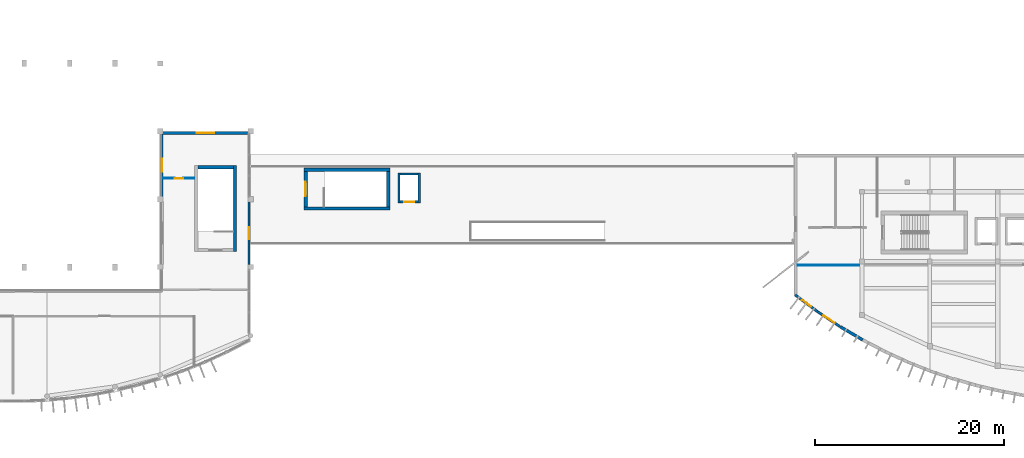
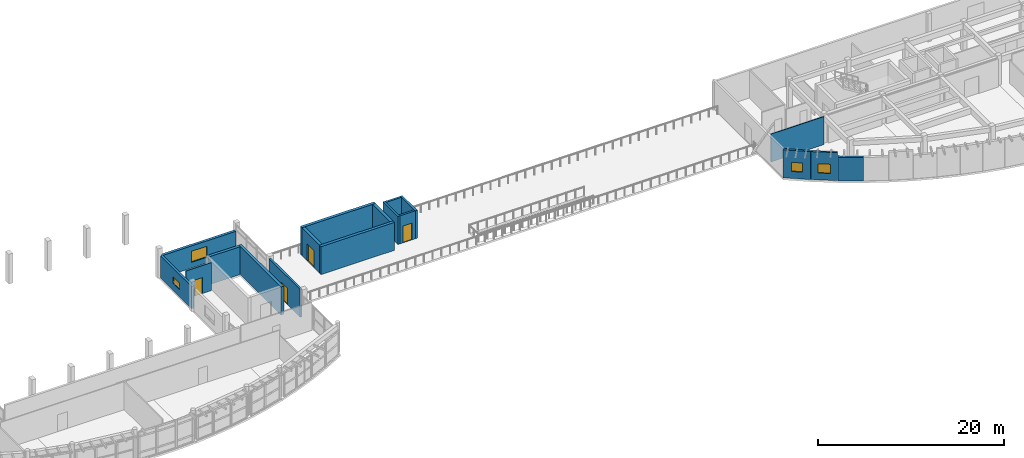
# One storey, part 21 of 32: 18 walls, 4 doors, 4 windows, 8 openings.
"""IFC4 building model written with IfcOpenShell, lengths in metres."""

from ifc_helpers import new_model, si_unit, direction, frame, frame_2d, origin, place, context, subcontext, project, spatial, rectangle, extrude, material, layer, layer_set, type_object, element, fill, save


model = new_model("IFC4")

# Units and contexts
model_context = context("Model", 3, precision=1e-05, world=origin(), true_north=direction((0.0, 1.0)))
body_context = subcontext(model_context, "Body", "Model", "MODEL_VIEW")
ifc_project = project(units=[si_unit("LENGTHUNIT", "METRE"), si_unit("AREAUNIT", "SQUARE_METRE"), si_unit("VOLUMEUNIT", "CUBIC_METRE"), si_unit("PLANEANGLEUNIT", "RADIAN"), si_unit("MASSUNIT", "GRAM", prefix="KILO")], contexts=[model_context])

# Site, building, storey
site_placement = place(None, origin())
site = spatial("IfcSite", under=ifc_project, at=site_placement, CompositionType="ELEMENT")
building_placement = place(site_placement, origin())
building = spatial("IfcBuilding", under=site, at=building_placement, Name="Brisavento Harbour Community Centre", CompositionType="ELEMENT")
storey_placement = place(building_placement, frame((0.0, 0.0, 12.89990234375)))
storey = spatial("IfcBuildingStorey", under=building, at=storey_placement, Name="L03", CompositionType="ELEMENT", Elevation=12.89990234375)

# Walls
ifc_material_1 = material(Name="Concrete C40/50", Category="concrete")
ifc_layer_1 = layer(ifc_material_1, 0.35009765625, Name="Concrete C40/50")
ifc_layer_set_1 = layer_set([ifc_layer_1], Name="Concrete C40/50")
wall_type_1 = type_object("IfcWallType", Name="WL-CORE-350", PredefinedType="SHEAR", material=ifc_layer_set_1)
wall_1_placement = place(storey_placement, frame((48.72509765625, 16.050048828125, 0.0), z_axis=(0.0, 0.0, 1.0), x_axis=(0.0, 1.0, 0.0)))
element("IfcWall", 1, at=wall_1_placement, inside=storey, type_object=wall_type_1, Name="L03 core C1B shear wall L", PredefinedType="SHEAR", context=body_context, shape_type="SweptSolid", body=[
    extrude(rectangle(XDim=9.099853515625, YDim=0.35009765625, at=frame_2d((4.5498046875, 0.0))), origin(), (0.0, 0.0, 1.0), 3.66015625),
])
wall_2_placement = place(storey_placement, frame((48.550048828125, 24.97509765625, 0.0), z_axis=(0.0, 0.0, 1.0), x_axis=(-1.0, 0.0, 0.0)))
element("IfcWall", 2, at=wall_2_placement, inside=storey, type_object=wall_type_1, Name="L03 core C1B shear wall F", PredefinedType="SHEAR", context=body_context, shape_type="SweptSolid", body=[
    extrude(rectangle(XDim=3.75, YDim=0.35009765625, at=frame_2d((1.875, 0.0))), origin(), (0.0, 0.0, 1.0), 3.66015625),
])
for number, where, z_axis, x_axis, name in (
    (3, (56.050048828125, 20.625, 0.0), (0.0, 0.0, 1.0), (1.0, 0.0, 0.0), "L03 core C2 shear wall L"),
    (4, (65.14990234375, 24.72509765625, 0.0), (0.0, 0.0, 1.0), (-1.0, 0.0, 0.0), "L03 core C2 shear wall R"),
):
    element("IfcWall", number, at=place(storey_placement, frame(where, z_axis=z_axis, x_axis=x_axis)), inside=storey, type_object=wall_type_1, Name=name, PredefinedType="SHEAR", context=body_context, shape_type="SweptSolid", body=[
        extrude(rectangle(XDim=9.099853515625, YDim=0.35009765625, at=frame_2d((4.5498046875, 0.0))), origin(), (0.0, 0.0, 1.0), 3.66015625),
    ])
wall_3_placement = place(storey_placement, frame((64.97509765625, 20.800048828125, 0.0), z_axis=(0.0, 0.0, 1.0), x_axis=(0.0, 1.0, 0.0)))
element("IfcWall", 5, at=wall_3_placement, inside=storey, type_object=wall_type_1, Name="L03 core C2 shear wall F", PredefinedType="SHEAR", context=body_context, shape_type="SweptSolid", body=[
    extrude(rectangle(XDim=3.75, YDim=0.35009765625, at=frame_2d((1.875, 0.0))), origin(), (0.0, 0.0, 1.0), 3.66015625),
])

# Wall, opening, door
wall_4_placement = place(storey_placement, frame((56.22509765625, 24.550048828125, 0.0), z_axis=(0.0, 0.0, 1.0), x_axis=(0.0, -1.0, 0.0)))
wall_4 = element("IfcWall", 6, at=wall_4_placement, inside=storey, type_object=wall_type_1, Name="L03 core C2 shear wall N", PredefinedType="SHEAR", context=body_context, shape_type="SweptSolid", body=[
    extrude(rectangle(XDim=3.75, YDim=0.35009765625, at=frame_2d((1.875, 0.0))), origin(), (0.0, 0.0, 1.0), 3.66015625),
])
opening_1_placement = place(wall_4_placement, frame((1.125, 0.0, 0.0)))
opening_1 = element("IfcOpeningElement", 7, at=opening_1_placement, cuts=wall_4, Name="Opening SD-01", PredefinedType="OPENING", context=body_context, shape_type="SweptSolid", body=[
    extrude(rectangle(XDim=1.5, YDim=2.199951171875, at=frame_2d((0.75, 1.10009765625))), frame((0.0, 0.18505859375, 0.0), z_axis=(0.0, -1.0, 0.0), x_axis=(1.0, 0.0, 0.0)), (0.0, 0.0, 1.0), 0.3701171875),
])
ifc_material_2 = material(Name="Fire-rated steel door assembly", Category="steel")
door_type_1 = type_object("IfcDoorType", Name="DR-STAIR-150x220", OperationType="NOTDEFINED", PredefinedType="DOOR", material=ifc_material_2)
door_1_placement = place(opening_1_placement, origin())
door_1 = element("IfcDoor", 8, at=door_1_placement, inside=storey, type_object=door_type_1, Name="L03 exit stair ST-03 fire door", OperationType="SINGLE_SWING_RIGHT", OverallHeight=2.199951171875, OverallWidth=1.5, PredefinedType="DOOR", context=body_context, shape_type="SweptSolid", body=[
    extrude(rectangle(XDim=1.5, YDim=2.199951171875, at=frame_2d((0.75, 1.10009765625))), frame((0.0, 0.02490234375, 0.0), z_axis=(0.0, -1.0, 0.0), x_axis=(1.0, 0.0, 0.0)), (0.0, 0.0, 1.0), 0.050048828125),
])
fill(opening_1, door_1)

ifc_material_3 = material(Name="Terracotta masonry unit", Category="masonry")
ifc_layer_2 = layer(ifc_material_3, 0.239990234375, Name="Terracotta masonry unit")
ifc_layer_set_2 = layer_set([ifc_layer_2], Name="Terracotta masonry unit")
wall_type_2 = type_object("IfcWallType", Name="WL-EXT-240", PredefinedType="SOLIDWALL", material=ifc_layer_set_2)
wall_5_placement = place(storey_placement, frame((50.219970703125, 21.340087890625, 0.0), z_axis=(0.0, 0.0, 1.0), x_axis=(0.0, -1.0, 0.0)))
wall_5 = element("IfcWall", 9, at=wall_5_placement, inside=storey, type_object=wall_type_2, Name="L03 V1 exterior wall 0263", PredefinedType="SOLIDWALL", context=body_context, shape_type="SweptSolid", body=[
    extrude(rectangle(XDim=6.68017578125, YDim=0.239990234375, at=frame_2d((3.340087890625, 0.0))), origin(), (0.0, 0.0, 1.0), 3.66015625),
])
opening_2_placement = place(wall_5_placement, frame((2.68994140625, 0.0, 0.0)))
opening_2 = element("IfcOpeningElement", 10, at=opening_2_placement, cuts=wall_5, Name="Opening TD-02", PredefinedType="OPENING", context=body_context, shape_type="SweptSolid", body=[
    extrude(rectangle(XDim=1.300048828125, YDim=2.199951171875, at=frame_2d((0.64990234375, 1.10009765625))), frame((0.0, 0.1298828125, 0.0), z_axis=(0.0, -1.0, 0.0), x_axis=(1.0, 0.0, 0.0)), (0.0, 0.0, 1.0), 0.260009765625),
])
ifc_material_4 = material(Name="Marine-anodised aluminium AW-6063-T6", Category="aluminium")
door_type_2 = type_object("IfcDoorType", Name="DR-TER-130x220", OperationType="NOTDEFINED", PredefinedType="DOOR", material=ifc_material_4)
door_2_placement = place(opening_2_placement, origin())
door_2 = element("IfcDoor", 11, at=door_2_placement, inside=storey, type_object=door_type_2, Name="L03 V1 terrace access door 028", OperationType="SINGLE_SWING_LEFT", OverallHeight=2.199951171875, OverallWidth=1.300048828125, PredefinedType="DOOR", context=body_context, shape_type="SweptSolid", body=[
    extrude(rectangle(XDim=1.300048828125, YDim=2.199951171875, at=frame_2d((0.64990234375, 1.10009765625))), frame((0.0, 0.02490234375, 0.0), z_axis=(0.0, -1.0, 0.0), x_axis=(1.0, 0.0, 0.0)), (0.0, 0.0, 1.0), 0.050048828125),
])
fill(opening_2, door_2)

# Wall, opening, window
wall_6_placement = place(storey_placement, frame((112.884765625, 8.089111328125, 0.0), z_axis=(0.0, 0.0, 1.0), x_axis=(-0.83248539698, 0.55404698701, 0.0)))
wall_6 = element("IfcWall", 12, at=wall_6_placement, inside=storey, type_object=wall_type_2, Name="L03 V3 exterior wall 0273", PredefinedType="SOLIDWALL", context=body_context, shape_type="SweptSolid", body=[
    extrude(rectangle(XDim=2.846923828125, YDim=0.239990234375, at=frame_2d((1.42333984375, 0.0))), origin(), (0.0, 0.0, 1.0), 3.66015625),
])
opening_3_placement = place(wall_6_placement, frame((0.74853515625, 0.0, 0.89990234375)))
opening_3 = element("IfcOpeningElement", 13, at=opening_3_placement, cuts=wall_6, Name="Opening W-04", PredefinedType="OPENING", context=body_context, shape_type="SweptSolid", body=[
    extrude(rectangle(XDim=1.35009765625, YDim=1.199951171875, at=frame_2d((0.675048828125, 0.60009765625))), frame((0.0, 0.1298828125, 0.0), z_axis=(0.0, -1.0, 0.0), x_axis=(1.0, 0.0, 0.0)), (0.0, 0.0, 1.0), 0.260009765625),
])
ifc_material_5 = material(Name="Solar-control laminated low-E glass", Category="glass")
window_type_1 = type_object("IfcWindowType", Name="WIN-CAS-04", PartitioningType="SINGLE_PANEL", PredefinedType="WINDOW", material=ifc_material_5)
window_1_placement = place(opening_3_placement, origin())
window_1 = element("IfcWindow", 14, at=window_1_placement, inside=storey, type_object=window_type_1, Name="L03 V3 impact casement window 0148", OverallHeight=1.199951171875, OverallWidth=1.35009765625, PartitioningType="SINGLE_PANEL", PredefinedType="WINDOW", context=body_context, shape_type="SweptSolid", body=[
    extrude(rectangle(XDim=1.35009765625, YDim=1.199951171875, at=frame_2d((0.675048828125, 0.60009765625))), frame((0.0, 0.030029296875, 0.0), z_axis=(0.0, -1.0, 0.0), x_axis=(1.0, 0.0, 0.0)), (0.0, 0.0, 1.0), 0.06005859375),
])
fill(opening_3, window_1)

ifc_layer_3 = layer(ifc_material_3, 0.260009765625, Name="Terracotta masonry unit")
ifc_layer_set_3 = layer_set([ifc_layer_3], Name="Terracotta masonry unit")
wall_type_3 = type_object("IfcWallType", Name="WL-EXT-260", PredefinedType="SOLIDWALL", material=ifc_layer_set_3)
wall_7_placement = place(storey_placement, frame((110.49365234375, 9.681396484375, 0.0), z_axis=(0.0, 0.0, 1.0), x_axis=(-0.799831981695, 0.600223959083, 0.0)))
wall_7 = element("IfcWall", 15, at=wall_7_placement, inside=storey, type_object=wall_type_3, Name="L03 V3 exterior wall 0272", PredefinedType="SOLIDWALL", context=body_context, shape_type="SweptSolid", body=[
    extrude(rectangle(XDim=2.96484375, YDim=0.260009765625, at=frame_2d((1.482421875, 0.0))), origin(), (0.0, 0.0, 1.0), 3.66015625),
])
opening_4_placement = place(wall_7_placement, frame((0.88232421875, 0.0, 0.89990234375)))
opening_4 = element("IfcOpeningElement", 16, at=opening_4_placement, cuts=wall_7, Name="Opening W-03", PredefinedType="OPENING", context=body_context, shape_type="SweptSolid", body=[
    extrude(rectangle(XDim=1.199951171875, YDim=1.199951171875, at=frame_2d((0.60009765625, 0.60009765625))), frame((0.0, 0.14013671875, 0.0), z_axis=(0.0, -1.0, 0.0), x_axis=(1.0, 0.0, 0.0)), (0.0, 0.0, 1.0), 0.280029296875),
])
window_type_2 = type_object("IfcWindowType", Name="WIN-CAS-03", PartitioningType="SINGLE_PANEL", PredefinedType="WINDOW", material=ifc_material_5)
window_2_placement = place(opening_4_placement, origin())
window_2 = element("IfcWindow", 17, at=window_2_placement, inside=storey, type_object=window_type_2, Name="L03 V3 impact casement window 0147", OverallHeight=1.199951171875, OverallWidth=1.199951171875, PartitioningType="SINGLE_PANEL", PredefinedType="WINDOW", context=body_context, shape_type="SweptSolid", body=[
    extrude(rectangle(XDim=1.199951171875, YDim=1.199951171875, at=frame_2d((0.60009765625, 0.60009765625))), frame((0.0, 0.030029296875, 0.0), z_axis=(0.0, -1.0, 0.0), x_axis=(1.0, 0.0, 0.0)), (0.0, 0.0, 1.0), 0.06005859375),
])
fill(opening_4, window_2)

ifc_material_6 = material(Name="Precast concrete C40/50", Category="concrete")
ifc_layer_4 = layer(ifc_material_6, 0.280029296875, Name="Precast concrete C40/50")
ifc_layer_set_4 = layer_set([ifc_layer_4], Name="Precast concrete C40/50")
wall_type_4 = type_object("IfcWallType", Name="WL-EXT-280", PredefinedType="SOLIDWALL", material=ifc_layer_set_4)
wall_8_placement = place(storey_placement, frame((40.97998046875, 21.860107421875, 0.0), z_axis=(0.0, 0.0, 1.0), x_axis=(0.0, 1.0, 0.0)))
wall_8 = element("IfcWall", 18, at=wall_8_placement, inside=storey, type_object=wall_type_4, Name="L03 V1 exterior wall 0266", PredefinedType="SOLIDWALL", context=body_context, shape_type="SweptSolid", body=[
    extrude(rectangle(XDim=6.679931640625, YDim=0.280029296875, at=frame_2d((3.33984375, 0.0))), origin(), (0.0, 0.0, 1.0), 2.900146484375),
])
opening_5_placement = place(wall_8_placement, frame((2.639892578125, 0.0, 0.89990234375)))
opening_5 = element("IfcOpeningElement", 19, at=opening_5_placement, cuts=wall_8, Name="Opening W-34", PredefinedType="OPENING", context=body_context, shape_type="SweptSolid", body=[
    extrude(rectangle(XDim=1.39990234375, YDim=0.85009765625, at=frame_2d((0.699951171875, 0.425048828125))), frame((0.0, 0.14990234375, 0.0), z_axis=(0.0, -1.0, 0.0), x_axis=(1.0, 0.0, 0.0)), (0.0, 0.0, 1.0), 0.300048828125),
])
window_type_3 = type_object("IfcWindowType", Name="WIN-CAS-34", PartitioningType="SINGLE_PANEL", PredefinedType="WINDOW", material=ifc_material_5)
window_3_placement = place(opening_5_placement, origin())
window_3 = element("IfcWindow", 20, at=window_3_placement, inside=storey, type_object=window_type_3, Name="L03 V1 impact casement window 0142", OverallHeight=0.85009765625, OverallWidth=1.39990234375, PartitioningType="SINGLE_PANEL", PredefinedType="WINDOW", context=body_context, shape_type="SweptSolid", body=[
    extrude(rectangle(XDim=1.39990234375, YDim=0.85009765625, at=frame_2d((0.699951171875, 0.425048828125))), frame((0.0, 0.030029296875, 0.0), z_axis=(0.0, -1.0, 0.0), x_axis=(1.0, 0.0, 0.0)), (0.0, 0.0, 1.0), 0.06005859375),
])
fill(opening_5, window_3)

ifc_material_7 = material(Name="Concrete C35/45", Category="concrete")
ifc_layer_5 = layer(ifc_material_7, 0.320068359375, Name="Concrete C35/45")
ifc_layer_set_5 = layer_set([ifc_layer_5], Name="Concrete C35/45")
wall_type_5 = type_object("IfcWallType", Name="WL-EXT-320", PredefinedType="SOLIDWALL", material=ifc_layer_set_5)
wall_9_placement = place(storey_placement, frame((41.06005859375, 28.6201171875, 0.0), z_axis=(0.0, 0.0, 1.0), x_axis=(1.0, 0.0, 0.0)))
wall_9 = element("IfcWall", 21, at=wall_9_placement, inside=storey, type_object=wall_type_5, Name="L03 V1 exterior wall 0264", PredefinedType="SOLIDWALL", context=body_context, shape_type="SweptSolid", body=[
    extrude(rectangle(XDim=9.079833984375, YDim=0.320068359375, at=frame_2d((4.5400390625, 0.0))), origin(), (0.0, 0.0, 1.0), 2.900146484375),
])
opening_6_placement = place(wall_9_placement, frame((3.590087890625, 0.0, 0.75)))
opening_6 = element("IfcOpeningElement", 22, at=opening_6_placement, cuts=wall_9, Name="Opening W-32", PredefinedType="OPENING", context=body_context, shape_type="SweptSolid", body=[
    extrude(rectangle(XDim=1.89990234375, YDim=1.449951171875, at=frame_2d((0.949951171875, 0.72509765625))), frame((0.0, 0.169921875, 0.0), z_axis=(0.0, -1.0, 0.0), x_axis=(1.0, 0.0, 0.0)), (0.0, 0.0, 1.0), 0.340087890625),
])
window_type_4 = type_object("IfcWindowType", Name="WIN-CAS-32", PartitioningType="SINGLE_PANEL", PredefinedType="WINDOW", material=ifc_material_5)
window_4_placement = place(opening_6_placement, origin())
window_4 = element("IfcWindow", 23, at=window_4_placement, inside=storey, type_object=window_type_4, Name="L03 V1 impact casement window 0140", OverallHeight=1.449951171875, OverallWidth=1.89990234375, PartitioningType="SINGLE_PANEL", PredefinedType="WINDOW", context=body_context, shape_type="SweptSolid", body=[
    extrude(rectangle(XDim=1.89990234375, YDim=1.449951171875, at=frame_2d((0.949951171875, 0.72509765625))), frame((0.0, 0.030029296875, 0.0), z_axis=(0.0, -1.0, 0.0), x_axis=(1.0, 0.0, 0.0)), (0.0, 0.0, 1.0), 0.06005859375),
])
fill(opening_6, window_4)

# Wall
wall_10_placement = place(storey_placement, frame((115.27587890625, 6.678466796875, 0.0), z_axis=(0.0, 0.0, 1.0), x_axis=(-0.861415701697, 0.507900569866, 0.0)))
element("IfcWall", 24, at=wall_10_placement, inside=storey, type_object=wall_type_5, Name="L03 V3 exterior wall 0274", PredefinedType="SOLIDWALL", context=body_context, shape_type="SweptSolid", body=[
    extrude(rectangle(XDim=2.75, YDim=0.320068359375, at=frame_2d((1.375, 0.0))), origin(), (0.0, 0.0, 1.0), 3.06005859375),
])

# Wall, opening, door
ifc_material_8 = material(Name="Lightweight stud partition", Category="other")
ifc_layer_6 = layer(ifc_material_8, 0.10009765625, Name="Lightweight stud partition")
ifc_layer_set_6 = layer_set([ifc_layer_6], Name="Lightweight stud partition")
wall_type_6 = type_object("IfcWallType", Name="WL-PRT-100", PredefinedType="PARTITIONING", material=ifc_layer_set_6)
wall_11_placement = place(storey_placement, frame((44.389892578125, 23.800048828125, 0.0), z_axis=(0.0, 0.0, 1.0), x_axis=(-1.0, 0.0, 0.0)))
wall_11 = element("IfcWall", 25, at=wall_11_placement, inside=storey, type_object=wall_type_6, Name="L03 Senior Citizens Day Lounge partition 0255", PredefinedType="PARTITIONING", context=body_context, shape_type="SweptSolid", body=[
    extrude(rectangle(XDim=3.18994140625, YDim=0.10009765625, at=frame_2d((1.594970703125, 0.0))), origin(), (0.0, 0.0, 1.0), 3.66015625),
])
opening_7_placement = place(wall_11_placement, frame((1.14501953125, 0.0, 0.0)))
opening_7 = element("IfcOpeningElement", 26, at=opening_7_placement, cuts=wall_11, Name="Opening ID-11", PredefinedType="OPENING", context=body_context, shape_type="SweptSolid", body=[
    extrude(rectangle(XDim=0.89990234375, YDim=2.10009765625, at=frame_2d((0.449951171875, 1.050048828125))), frame((0.0, 0.06005859375, 0.0), z_axis=(0.0, -1.0, 0.0), x_axis=(1.0, 0.0, 0.0)), (0.0, 0.0, 1.0), 0.1201171875),
])
ifc_material_9 = material(Name="Solid-core tropical timber door", Category="wood")
door_type_3 = type_object("IfcDoorType", Name="DR-INT-090x210", OperationType="NOTDEFINED", PredefinedType="DOOR", material=ifc_material_9)
door_3_placement = place(opening_7_placement, origin())
door_3 = element("IfcDoor", 27, at=door_3_placement, inside=storey, type_object=door_type_3, Name="L03 Civic Elders Clubroom door 0099", OperationType="SINGLE_SWING_RIGHT", OverallHeight=2.10009765625, OverallWidth=0.89990234375, PredefinedType="DOOR", context=body_context, shape_type="SweptSolid", body=[
    extrude(rectangle(XDim=0.89990234375, YDim=2.10009765625, at=frame_2d((0.449951171875, 1.050048828125))), frame((0.0, 0.02490234375, 0.0), z_axis=(0.0, -1.0, 0.0), x_axis=(1.0, 0.0, 0.0)), (0.0, 0.0, 1.0), 0.050048828125),
])
fill(opening_7, door_3)

# Walls
wall_12_placement = place(storey_placement, frame((114.909912109375, 14.60009765625, 0.0), z_axis=(0.0, 0.0, 1.0), x_axis=(-1.0, 0.0, 0.0)))
element("IfcWall", 28, at=wall_12_placement, inside=storey, type_object=wall_type_6, Name="L03 Harbour Reading Room partition 0259", PredefinedType="PARTITIONING", context=body_context, shape_type="SweptSolid", body=[
    extrude(rectangle(XDim=6.510009765625, YDim=0.10009765625, at=frame_2d((3.2548828125, 0.0))), origin(), (0.0, 0.0, 1.0), 3.66015625),
])
ifc_layer_7 = layer(ifc_material_7, 0.25, Name="Concrete C35/45")
ifc_layer_set_7 = layer_set([ifc_layer_7], Name="Concrete C35/45")
wall_type_7 = type_object("IfcWallType", Name="WL-SHF-250", PredefinedType="SOLIDWALL", material=ifc_layer_set_7)
for number, where, z_axis, x_axis, name in (
    (29, (66.125, 21.199951171875, 0.0), (0.0, 0.0, 1.0), (0.0, 1.0, 0.0), "L03 lift LC-04 shaft wall W"),
    (30, (68.27490234375, 24.39990234375, 0.0), (0.0, 0.0, 1.0), (0.0, -1.0, 0.0), "L03 lift LC-04 shaft wall E"),
):
    element("IfcWall", number, at=place(storey_placement, frame(where, z_axis=z_axis, x_axis=x_axis)), inside=storey, type_object=wall_type_7, Name=name, PredefinedType="SOLIDWALL", context=body_context, shape_type="SweptSolid", body=[
        extrude(rectangle(XDim=3.199951171875, YDim=0.25, at=frame_2d((1.60009765625, 0.0))), origin(), (0.0, 0.0, 1.0), 3.66015625),
    ])

# Wall, opening, door
wall_13_placement = place(storey_placement, frame((66.25, 21.324951171875, 0.0), z_axis=(0.0, 0.0, 1.0), x_axis=(1.0, 0.0, 0.0)))
wall_13 = element("IfcWall", 31, at=wall_13_placement, inside=storey, type_object=wall_type_7, Name="L03 lift LC-04 shaft wall S", PredefinedType="SOLIDWALL", context=body_context, shape_type="SweptSolid", body=[
    extrude(rectangle(XDim=1.89990234375, YDim=0.25, at=frame_2d((0.949951171875, 0.0))), origin(), (0.0, 0.0, 1.0), 3.66015625),
])
opening_8_placement = place(wall_13_placement, frame((0.39990234375, 0.0, 0.0)))
opening_8 = element("IfcOpeningElement", 32, at=opening_8_placement, cuts=wall_13, Name="Opening LD-01", PredefinedType="OPENING", context=body_context, shape_type="SweptSolid", body=[
    extrude(rectangle(XDim=1.10009765625, YDim=2.199951171875, at=frame_2d((0.550048828125, 1.10009765625))), frame((0.0, 0.135009765625, 0.0), z_axis=(0.0, -1.0, 0.0), x_axis=(1.0, 0.0, 0.0)), (0.0, 0.0, 1.0), 0.27001953125),
])
ifc_material_10 = material(Name="Stainless steel 1.4401", Category="steel")
door_type_4 = type_object("IfcDoorType", Name="DR-LIFT-110x220", OperationType="DOUBLE_DOOR_SLIDING", PredefinedType="DOOR", material=ifc_material_10)
door_4_placement = place(opening_8_placement, origin())
door_4 = element("IfcDoor", 33, at=door_4_placement, inside=storey, type_object=door_type_4, Name="L03 lift LC-04 landing sliding door", OperationType="DOUBLE_DOOR_SLIDING", OverallHeight=2.199951171875, OverallWidth=1.10009765625, PredefinedType="DOOR", context=body_context, shape_type="SweptSolid", body=[
    extrude(rectangle(XDim=1.10009765625, YDim=2.199951171875, at=frame_2d((0.550048828125, 1.10009765625))), frame((0.0, 0.02490234375, 0.0), z_axis=(0.0, -1.0, 0.0), x_axis=(1.0, 0.0, 0.0)), (0.0, 0.0, 1.0), 0.050048828125),
])
fill(opening_8, door_4)

# Wall
wall_14_placement = place(storey_placement, frame((68.14990234375, 24.27490234375, 0.0), z_axis=(0.0, 0.0, 1.0), x_axis=(-1.0, 0.0, 0.0)))
element("IfcWall", 34, at=wall_14_placement, inside=storey, type_object=wall_type_7, Name="L03 lift LC-04 shaft wall N", PredefinedType="SOLIDWALL", context=body_context, shape_type="SweptSolid", body=[
    extrude(rectangle(XDim=1.89990234375, YDim=0.25, at=frame_2d((0.949951171875, 0.0))), origin(), (0.0, 0.0, 1.0), 3.66015625),
])

save(model, "model.ifc")
